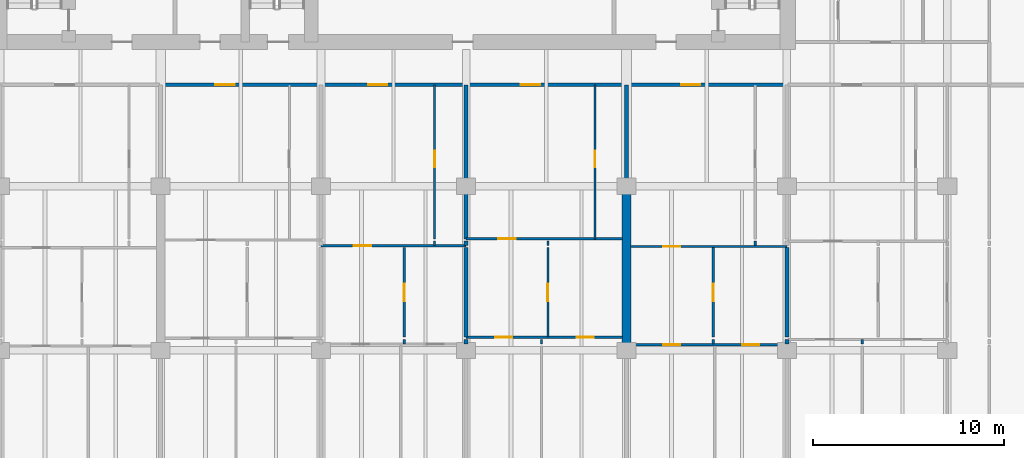
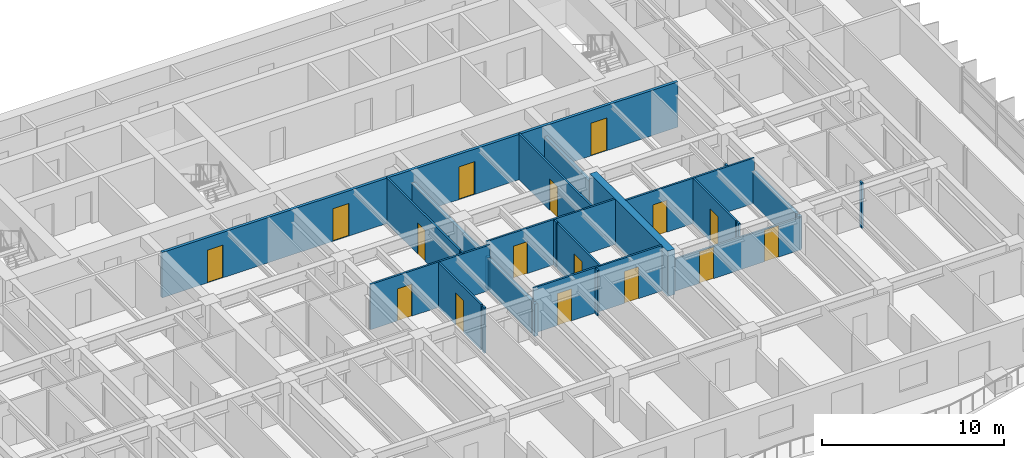
# One storey, part 9 of 18: 26 walls, 16 doors, 16 openings.
"""IFC4 building model written with IfcOpenShell, lengths in metres."""

from ifc_helpers import new_model, si_unit, direction, frame, frame_2d, origin, place, context, subcontext, project, spatial, rectangle, extrude, material, layer, layer_set, type_object, element, fill, save


model = new_model("IFC4")

# Units and contexts
model_context = context("Model", 3, precision=1e-05, world=origin(), true_north=direction((0.0, 1.0)))
body_context = subcontext(model_context, "Body", "Model", "MODEL_VIEW")
ifc_project = project(units=[si_unit("LENGTHUNIT", "METRE"), si_unit("AREAUNIT", "SQUARE_METRE"), si_unit("VOLUMEUNIT", "CUBIC_METRE"), si_unit("PLANEANGLEUNIT", "RADIAN"), si_unit("MASSUNIT", "GRAM", prefix="KILO")], contexts=[model_context])

# Site, building, storey
site_placement = place(None, origin())
site = spatial("IfcSite", under=ifc_project, at=site_placement, CompositionType="ELEMENT")
building_placement = place(site_placement, origin())
building = spatial("IfcBuilding", under=site, at=building_placement, Name="Caelmar Bay Residences", CompositionType="ELEMENT")
storey_placement = place(building_placement, frame((0.0, 0.0, 125.699951171875)))
storey = spatial("IfcBuildingStorey", under=building, at=storey_placement, Name="L34", CompositionType="ELEMENT", Elevation=125.699951171875)

# Wall
ifc_material_1 = material(Name="Concrete f'c 55 MPa (8,000 psi)", Category="concrete")
ifc_layer_1 = layer(ifc_material_1, 0.449951171875)
ifc_layer_set_1 = layer_set([ifc_layer_1], Name="Concrete f'c 55 MPa (8,000 psi)")
wall_type_1 = type_object("IfcWallType", Name="SW-XSLB-450", PredefinedType="SHEAR", material=ifc_layer_set_1)
wall_1_placement = place(storey_placement, frame((51.10009765625, 20.800048828125, 0.0), z_axis=(0.0, 0.0, 1.0), x_axis=(0.0, 1.0, 0.0)))
element("IfcWall", 1, at=wall_1_placement, inside=storey, type_object=wall_type_1, Name="L34 Transverse Cross-Slab Shear Wall E8", PredefinedType="SHEAR", context=body_context, shape_type="SweptSolid", body=[
    extrude(rectangle(XDim=8.599853515625, YDim=0.449951171875, at=frame_2d((4.2998046875, 0.0))), origin(), (0.0, 0.0, 1.0), 3.050048828125),
])

# Wall, openings, doors
ifc_material_2 = material(Name="Double-stud acoustic fire-rated gypsum partition 180 mm")
ifc_layer_2 = layer(ifc_material_2, 0.179931640625)
ifc_layer_set_2 = layer_set([ifc_layer_2], Name="Double-stud acoustic fire-rated gypsum partition 180 mm")
wall_type_2 = type_object("IfcWallType", Name="W-COR-200", PredefinedType="PARTITIONING", material=ifc_layer_set_2)
wall_2_placement = place(storey_placement, frame((26.699951171875, 34.699951171875, 0.0), z_axis=(0.0, 0.0, 1.0), x_axis=(1.0, 0.0, 0.0)))
wall_2 = element("IfcWall", 2, at=wall_2_placement, inside=storey, type_object=wall_type_2, Name="L34 Partition Wall H144", PredefinedType="PARTITIONING", context=body_context, shape_type="SweptSolid", body=[
    extrude(rectangle(XDim=32.800048828125, YDim=0.179931640625, at=frame_2d((16.39990234375, 0.0))), origin(), (0.0, 0.0, 1.0), 3.050048828125),
])
opening_1_placement = place(wall_2_placement, frame((2.875, 0.0, 0.0)))
opening_1 = element("IfcOpeningElement", 3, at=opening_1_placement, cuts=wall_2, Name="Opening D-L34-138", PredefinedType="OPENING", context=body_context, shape_type="SweptSolid", body=[
    extrude(rectangle(XDim=1.0, YDim=2.199951171875, at=frame_2d((0.5, 1.10009765625))), frame((0.0, 0.099853515625, 0.0), z_axis=(0.0, -1.0, 0.0), x_axis=(1.0, 0.0, 0.0)), (0.0, 0.0, 1.0), 0.199951171875),
])
opening_2_placement = place(wall_2_placement, frame((10.875, 0.0, 0.0)))
opening_2 = element("IfcOpeningElement", 4, at=opening_2_placement, cuts=wall_2, Name="Opening D-L34-145", PredefinedType="OPENING", context=body_context, shape_type="SweptSolid", body=[
    extrude(rectangle(XDim=1.0, YDim=2.199951171875, at=frame_2d((0.5, 1.10009765625))), frame((0.0, 0.099853515625, 0.0), z_axis=(0.0, -1.0, 0.0), x_axis=(1.0, 0.0, 0.0)), (0.0, 0.0, 1.0), 0.199951171875),
])
opening_3_placement = place(wall_2_placement, frame((18.875, 0.0, 0.0)))
opening_3 = element("IfcOpeningElement", 5, at=opening_3_placement, cuts=wall_2, Name="Opening D-L34-151", PredefinedType="OPENING", context=body_context, shape_type="SweptSolid", body=[
    extrude(rectangle(XDim=1.0, YDim=2.199951171875, at=frame_2d((0.5, 1.10009765625))), frame((0.0, 0.099853515625, 0.0), z_axis=(0.0, -1.0, 0.0), x_axis=(1.0, 0.0, 0.0)), (0.0, 0.0, 1.0), 0.199951171875),
])
opening_4_placement = place(wall_2_placement, frame((27.27490234375, 0.0, 0.0)))
opening_4 = element("IfcOpeningElement", 6, at=opening_4_placement, cuts=wall_2, Name="Opening D-L34-158", PredefinedType="OPENING", context=body_context, shape_type="SweptSolid", body=[
    extrude(rectangle(XDim=1.0, YDim=2.199951171875, at=frame_2d((0.5, 1.10009765625))), frame((0.0, 0.099853515625, 0.0), z_axis=(0.0, -1.0, 0.0), x_axis=(1.0, 0.0, 0.0)), (0.0, 0.0, 1.0), 0.199951171875),
])
ifc_material_3 = material(Name="Fire-rated steel and walnut architectural door assembly", Category="steel")
ifc_layer_3 = layer(ifc_material_3, 0.050048828125)
ifc_layer_set_3 = layer_set([ifc_layer_3], Name="Fire-rated steel and walnut architectural door assembly")
door_type_1 = type_object("IfcDoorType", Name="D-UNIT-1000", OperationType="NOTDEFINED", PredefinedType="DOOR", material=ifc_layer_set_3)
door_1_placement = place(opening_1_placement, origin())
door_1 = element("IfcDoor", 7, at=door_1_placement, inside=storey, type_object=door_type_1, Name="L34 Residence 03 Apartment Hall Door", OperationType="SINGLE_SWING_LEFT", OverallHeight=2.199951171875, OverallWidth=1.0, PredefinedType="DOOR", context=body_context, shape_type="SweptSolid", body=[
    extrude(rectangle(XDim=1.0, YDim=2.199951171875, at=frame_2d((0.5, 1.10009765625))), frame((0.0, 0.02490234375, 0.0), z_axis=(0.0, -1.0, 0.0), x_axis=(1.0, 0.0, 0.0)), (0.0, 0.0, 1.0), 0.050048828125),
])
fill(opening_1, door_1)
door_2_placement = place(opening_2_placement, origin())
door_2 = element("IfcDoor", 8, at=door_2_placement, inside=storey, type_object=door_type_1, Name="L34 Residence 04 Apartment Hall Door", OperationType="SINGLE_SWING_RIGHT", OverallHeight=2.199951171875, OverallWidth=1.0, PredefinedType="DOOR", context=body_context, shape_type="SweptSolid", body=[
    extrude(rectangle(XDim=1.0, YDim=2.199951171875, at=frame_2d((0.5, 1.10009765625))), frame((0.0, 0.02490234375, 0.0), z_axis=(0.0, -1.0, 0.0), x_axis=(1.0, 0.0, 0.0)), (0.0, 0.0, 1.0), 0.050048828125),
])
fill(opening_2, door_2)
door_3_placement = place(opening_3_placement, origin())
door_3 = element("IfcDoor", 9, at=door_3_placement, inside=storey, type_object=door_type_1, Name="L34 Residence 05 Apartment Hall Door", OperationType="SINGLE_SWING_RIGHT", OverallHeight=2.199951171875, OverallWidth=1.0, PredefinedType="DOOR", context=body_context, shape_type="SweptSolid", body=[
    extrude(rectangle(XDim=1.0, YDim=2.199951171875, at=frame_2d((0.5, 1.10009765625))), frame((0.0, 0.02490234375, 0.0), z_axis=(0.0, -1.0, 0.0), x_axis=(1.0, 0.0, 0.0)), (0.0, 0.0, 1.0), 0.050048828125),
])
fill(opening_3, door_3)
door_4_placement = place(opening_4_placement, origin())
door_4 = element("IfcDoor", 10, at=door_4_placement, inside=storey, type_object=door_type_1, Name="L34 Residence 06 Apartment Hall Door", OperationType="SINGLE_SWING_LEFT", OverallHeight=2.199951171875, OverallWidth=1.0, PredefinedType="DOOR", context=body_context, shape_type="SweptSolid", body=[
    extrude(rectangle(XDim=1.0, YDim=2.199951171875, at=frame_2d((0.5, 1.10009765625))), frame((0.0, 0.02490234375, 0.0), z_axis=(0.0, -1.0, 0.0), x_axis=(1.0, 0.0, 0.0)), (0.0, 0.0, 1.0), 0.050048828125),
])
fill(opening_4, door_4)

# Wall
ifc_material_4 = material(Name="Acoustic metal-stud gypsum partition 120 mm")
ifc_layer_4 = layer(ifc_material_4, 0.1201171875)
ifc_layer_set_4 = layer_set([ifc_layer_4], Name="Acoustic metal-stud gypsum partition 120 mm")
wall_type_3 = type_object("IfcWallType", Name="W-PRT-120", PredefinedType="PARTITIONING", material=ifc_layer_set_4)
wall_3_placement = place(storey_placement, frame((39.4541015625, 21.1298828125, 0.0), z_axis=(0.0, 0.0, 1.0), x_axis=(0.0, 1.0, 0.0)))
element("IfcWall", 11, at=wall_3_placement, inside=storey, type_object=wall_type_3, Name="L34 Partition Wall V059", PredefinedType="PARTITIONING", context=body_context, shape_type="SweptSolid", body=[
    extrude(rectangle(XDim=0.240234375, YDim=0.1201171875, at=frame_2d((0.1201171875, 0.0))), origin(), (0.0, 0.0, 1.0), 3.050048828125),
])

# Wall, opening, door
wall_4_placement = place(storey_placement, frame((39.4541015625, 21.489990234375, 0.0), z_axis=(0.0, 0.0, 1.0), x_axis=(0.0, 1.0, 0.0)))
wall_4 = element("IfcWall", 12, at=wall_4_placement, inside=storey, type_object=wall_type_3, Name="L34 Partition Wall V060", PredefinedType="PARTITIONING", context=body_context, shape_type="SweptSolid", body=[
    extrude(rectangle(XDim=4.68994140625, YDim=0.1201171875, at=frame_2d((2.344970703125, 0.0))), origin(), (0.0, 0.0, 1.0), 3.050048828125),
])
opening_5_placement = place(wall_4_placement, frame((1.89501953125, 0.0, 0.0)))
opening_5 = element("IfcOpeningElement", 13, at=opening_5_placement, cuts=wall_4, Name="Opening D-L34-148", PredefinedType="OPENING", context=body_context, shape_type="SweptSolid", body=[
    extrude(rectangle(XDim=0.89990234375, YDim=2.14990234375, at=frame_2d((0.449951171875, 1.074951171875))), frame((0.0, 0.070068359375, 0.0), z_axis=(0.0, -1.0, 0.0), x_axis=(1.0, 0.0, 0.0)), (0.0, 0.0, 1.0), 0.14013671875),
])
ifc_material_5 = material(Name="Solid walnut timber interior door leaf and frame", Category="wood")
ifc_layer_5 = layer(ifc_material_5, 0.050048828125)
ifc_layer_set_5 = layer_set([ifc_layer_5], Name="Solid walnut timber interior door leaf and frame")
door_type_2 = type_object("IfcDoorType", Name="D-ROOM-900", OperationType="NOTDEFINED", PredefinedType="DOOR", material=ifc_layer_set_5)
door_5_placement = place(opening_5_placement, origin())
door_5 = element("IfcDoor", 14, at=door_5_placement, inside=storey, type_object=door_type_2, Name="L34 Residence 04 Study Door", OperationType="SINGLE_SWING_LEFT", OverallHeight=2.14990234375, OverallWidth=0.89990234375, PredefinedType="DOOR", context=body_context, shape_type="SweptSolid", body=[
    extrude(rectangle(XDim=0.89990234375, YDim=2.14990234375, at=frame_2d((0.449951171875, 1.074951171875))), frame((0.0, 0.02490234375, 0.0), z_axis=(0.0, -1.0, 0.0), x_axis=(1.0, 0.0, 0.0)), (0.0, 0.0, 1.0), 0.050048828125),
])
fill(opening_5, door_5)

# Wall
wall_5_placement = place(storey_placement, frame((41.050048828125, 26.280029296875, 0.0), z_axis=(0.0, 0.0, 1.0), x_axis=(0.0, 1.0, 0.0)))
element("IfcWall", 15, at=wall_5_placement, inside=storey, type_object=wall_type_3, Name="L34 Partition Wall V061", PredefinedType="PARTITIONING", context=body_context, shape_type="SweptSolid", body=[
    extrude(rectangle(XDim=0.239990234375, YDim=0.1201171875, at=frame_2d((0.1201171875, 0.0))), origin(), (0.0, 0.0, 1.0), 3.050048828125),
])

# Wall, opening, door
wall_6_placement = place(storey_placement, frame((41.050048828125, 26.639892578125, 0.0), z_axis=(0.0, 0.0, 1.0), x_axis=(0.0, 1.0, 0.0)))
wall_6 = element("IfcWall", 16, at=wall_6_placement, inside=storey, type_object=wall_type_3, Name="L34 Partition Wall V062", PredefinedType="PARTITIONING", context=body_context, shape_type="SweptSolid", body=[
    extrude(rectangle(XDim=8.06005859375, YDim=0.1201171875, at=frame_2d((4.030029296875, 0.0))), origin(), (0.0, 0.0, 1.0), 3.050048828125),
])
opening_6_placement = place(wall_6_placement, frame((3.7548828125, 0.0, 0.0)))
opening_6 = element("IfcOpeningElement", 17, at=opening_6_placement, cuts=wall_6, Name="Opening D-L34-146", PredefinedType="OPENING", context=body_context, shape_type="SweptSolid", body=[
    extrude(rectangle(XDim=0.85009765625, YDim=2.10009765625, at=frame_2d((0.425048828125, 1.050048828125))), frame((0.0, 0.070068359375, 0.0), z_axis=(0.0, -1.0, 0.0), x_axis=(1.0, 0.0, 0.0)), (0.0, 0.0, 1.0), 0.14013671875),
])
ifc_layer_6 = layer(ifc_material_5, 0.050048828125)
ifc_layer_set_6 = layer_set([ifc_layer_6], Name="Solid walnut timber interior door leaf and frame")
door_type_3 = type_object("IfcDoorType", Name="D-BATH-850", OperationType="NOTDEFINED", PredefinedType="DOOR", material=ifc_layer_set_6)
door_6_placement = place(opening_6_placement, origin())
door_6 = element("IfcDoor", 18, at=door_6_placement, inside=storey, type_object=door_type_3, Name="L34 Residence 04 Bathroom Door", OperationType="SINGLE_SWING_LEFT", OverallHeight=2.10009765625, OverallWidth=0.85009765625, PredefinedType="DOOR", context=body_context, shape_type="SweptSolid", body=[
    extrude(rectangle(XDim=0.85009765625, YDim=2.10009765625, at=frame_2d((0.425048828125, 1.050048828125))), frame((0.0, 0.02490234375, 0.0), z_axis=(0.0, -1.0, 0.0), x_axis=(1.0, 0.0, 0.0)), (0.0, 0.0, 1.0), 0.050048828125),
])
fill(opening_6, door_6)

# Wall
wall_7_placement = place(storey_placement, frame((46.64794921875, 21.1298828125, 0.0), z_axis=(0.0, 0.0, 1.0), x_axis=(0.0, 1.0, 0.0)))
element("IfcWall", 19, at=wall_7_placement, inside=storey, type_object=wall_type_3, Name="L34 Partition Wall V074", PredefinedType="PARTITIONING", context=body_context, shape_type="SweptSolid", body=[
    extrude(rectangle(XDim=0.240234375, YDim=0.1201171875, at=frame_2d((0.1201171875, 0.0))), origin(), (0.0, 0.0, 1.0), 3.050048828125),
])

# Wall, opening, door
wall_8_placement = place(storey_placement, frame((46.986083984375, 21.489990234375, 0.0), z_axis=(0.0, 0.0, 1.0), x_axis=(0.0, 1.0, 0.0)))
wall_8 = element("IfcWall", 20, at=wall_8_placement, inside=storey, type_object=wall_type_3, Name="L34 Partition Wall V075", PredefinedType="PARTITIONING", context=body_context, shape_type="SweptSolid", body=[
    extrude(rectangle(XDim=4.68994140625, YDim=0.1201171875, at=frame_2d((2.344970703125, 0.0))), origin(), (0.0, 0.0, 1.0), 3.050048828125),
])
opening_7_placement = place(wall_8_placement, frame((1.89501953125, 0.0, 0.0)))
opening_7 = element("IfcOpeningElement", 21, at=opening_7_placement, cuts=wall_8, Name="Opening D-L34-154", PredefinedType="OPENING", context=body_context, shape_type="SweptSolid", body=[
    extrude(rectangle(XDim=0.89990234375, YDim=2.14990234375, at=frame_2d((0.449951171875, 1.074951171875))), frame((0.0, 0.070068359375, 0.0), z_axis=(0.0, -1.0, 0.0), x_axis=(1.0, 0.0, 0.0)), (0.0, 0.0, 1.0), 0.14013671875),
])
door_7_placement = place(opening_7_placement, origin())
door_7 = element("IfcDoor", 22, at=door_7_placement, inside=storey, type_object=door_type_2, Name="L34 Residence 05 Study Door", OperationType="SINGLE_SWING_LEFT", OverallHeight=2.14990234375, OverallWidth=0.89990234375, PredefinedType="DOOR", context=body_context, shape_type="SweptSolid", body=[
    extrude(rectangle(XDim=0.89990234375, YDim=2.14990234375, at=frame_2d((0.449951171875, 1.074951171875))), frame((0.0, 0.02490234375, 0.0), z_axis=(0.0, -1.0, 0.0), x_axis=(1.0, 0.0, 0.0)), (0.0, 0.0, 1.0), 0.050048828125),
])
fill(opening_7, door_7)

# Wall
wall_9_placement = place(storey_placement, frame((46.986083984375, 26.280029296875, 0.0), z_axis=(0.0, 0.0, 1.0), x_axis=(0.0, 1.0, 0.0)))
element("IfcWall", 23, at=wall_9_placement, inside=storey, type_object=wall_type_3, Name="L34 Partition Wall V076", PredefinedType="PARTITIONING", context=body_context, shape_type="SweptSolid", body=[
    extrude(rectangle(XDim=0.239990234375, YDim=0.1201171875, at=frame_2d((0.1201171875, 0.0))), origin(), (0.0, 0.0, 1.0), 3.050048828125),
])

# Wall, opening, door
wall_10_placement = place(storey_placement, frame((49.449951171875, 26.639892578125, 0.0), z_axis=(0.0, 0.0, 1.0), x_axis=(0.0, 1.0, 0.0)))
wall_10 = element("IfcWall", 24, at=wall_10_placement, inside=storey, type_object=wall_type_3, Name="L34 Partition Wall V078", PredefinedType="PARTITIONING", context=body_context, shape_type="SweptSolid", body=[
    extrude(rectangle(XDim=8.06005859375, YDim=0.1201171875, at=frame_2d((4.030029296875, 0.0))), origin(), (0.0, 0.0, 1.0), 3.050048828125),
])
opening_8_placement = place(wall_10_placement, frame((3.7548828125, 0.0, 0.0)))
opening_8 = element("IfcOpeningElement", 25, at=opening_8_placement, cuts=wall_10, Name="Opening D-L34-152", PredefinedType="OPENING", context=body_context, shape_type="SweptSolid", body=[
    extrude(rectangle(XDim=0.85009765625, YDim=2.10009765625, at=frame_2d((0.425048828125, 1.050048828125))), frame((0.0, 0.070068359375, 0.0), z_axis=(0.0, -1.0, 0.0), x_axis=(1.0, 0.0, 0.0)), (0.0, 0.0, 1.0), 0.14013671875),
])
door_8_placement = place(opening_8_placement, origin())
door_8 = element("IfcDoor", 26, at=door_8_placement, inside=storey, type_object=door_type_3, Name="L34 Residence 05 Bathroom Door", OperationType="SINGLE_SWING_LEFT", OverallHeight=2.10009765625, OverallWidth=0.85009765625, PredefinedType="DOOR", context=body_context, shape_type="SweptSolid", body=[
    extrude(rectangle(XDim=0.85009765625, YDim=2.10009765625, at=frame_2d((0.425048828125, 1.050048828125))), frame((0.0, 0.02490234375, 0.0), z_axis=(0.0, -1.0, 0.0), x_axis=(1.0, 0.0, 0.0)), (0.0, 0.0, 1.0), 0.050048828125),
])
fill(opening_8, door_8)

# Wall
wall_11_placement = place(storey_placement, frame((55.635986328125, 21.1298828125, 0.0), z_axis=(0.0, 0.0, 1.0), x_axis=(0.0, 1.0, 0.0)))
element("IfcWall", 27, at=wall_11_placement, inside=storey, type_object=wall_type_3, Name="L34 Partition Wall V086", PredefinedType="PARTITIONING", context=body_context, shape_type="SweptSolid", body=[
    extrude(rectangle(XDim=0.240234375, YDim=0.1201171875, at=frame_2d((0.1201171875, 0.0))), origin(), (0.0, 0.0, 1.0), 3.050048828125),
])

# Wall, opening, door
wall_12_placement = place(storey_placement, frame((55.635986328125, 21.489990234375, 0.0), z_axis=(0.0, 0.0, 1.0), x_axis=(0.0, 1.0, 0.0)))
wall_12 = element("IfcWall", 28, at=wall_12_placement, inside=storey, type_object=wall_type_3, Name="L34 Partition Wall V087", PredefinedType="PARTITIONING", context=body_context, shape_type="SweptSolid", body=[
    extrude(rectangle(XDim=4.68994140625, YDim=0.1201171875, at=frame_2d((2.344970703125, 0.0))), origin(), (0.0, 0.0, 1.0), 3.050048828125),
])
opening_9_placement = place(wall_12_placement, frame((1.89501953125, 0.0, 0.0)))
opening_9 = element("IfcOpeningElement", 29, at=opening_9_placement, cuts=wall_12, Name="Opening D-L34-161", PredefinedType="OPENING", context=body_context, shape_type="SweptSolid", body=[
    extrude(rectangle(XDim=0.89990234375, YDim=2.14990234375, at=frame_2d((0.449951171875, 1.074951171875))), frame((0.0, 0.070068359375, 0.0), z_axis=(0.0, -1.0, 0.0), x_axis=(1.0, 0.0, 0.0)), (0.0, 0.0, 1.0), 0.14013671875),
])
door_9_placement = place(opening_9_placement, origin())
door_9 = element("IfcDoor", 30, at=door_9_placement, inside=storey, type_object=door_type_2, Name="L34 Residence 06 Study Door", OperationType="SINGLE_SWING_RIGHT", OverallHeight=2.14990234375, OverallWidth=0.89990234375, PredefinedType="DOOR", context=body_context, shape_type="SweptSolid", body=[
    extrude(rectangle(XDim=0.89990234375, YDim=2.14990234375, at=frame_2d((0.449951171875, 1.074951171875))), frame((0.0, 0.02490234375, 0.0), z_axis=(0.0, -1.0, 0.0), x_axis=(1.0, 0.0, 0.0)), (0.0, 0.0, 1.0), 0.050048828125),
])
fill(opening_9, door_9)

# Walls
wall_13_placement = place(storey_placement, frame((57.85009765625, 26.280029296875, 0.0), z_axis=(0.0, 0.0, 1.0), x_axis=(0.0, 1.0, 0.0)))
element("IfcWall", 31, at=wall_13_placement, inside=storey, type_object=wall_type_3, Name="L34 Partition Wall V091", PredefinedType="PARTITIONING", context=body_context, shape_type="SweptSolid", body=[
    extrude(rectangle(XDim=0.239990234375, YDim=0.1201171875, at=frame_2d((0.1201171875, 0.0))), origin(), (0.0, 0.0, 1.0), 3.050048828125),
])
wall_14_placement = place(storey_placement, frame((63.447998046875, 21.1298828125, 0.0), z_axis=(0.0, 0.0, 1.0), x_axis=(0.0, 1.0, 0.0)))
element("IfcWall", 32, at=wall_14_placement, inside=storey, type_object=wall_type_3, Name="L34 Partition Wall V102", PredefinedType="PARTITIONING", context=body_context, shape_type="SweptSolid", body=[
    extrude(rectangle(XDim=0.240234375, YDim=0.1201171875, at=frame_2d((0.1201171875, 0.0))), origin(), (0.0, 0.0, 1.0), 3.050048828125),
])

# Wall, openings, doors
wall_15_placement = place(storey_placement, frame((51.320068359375, 21.090087890625, 0.0), z_axis=(0.0, 0.0, 1.0), x_axis=(1.0, 0.0, 0.0)))
wall_15 = element("IfcWall", 33, at=wall_15_placement, inside=storey, type_object=wall_type_3, Name="L34 Partition Wall H128", PredefinedType="PARTITIONING", context=body_context, shape_type="SweptSolid", body=[
    extrude(rectangle(XDim=8.179931640625, YDim=0.1201171875, at=frame_2d((4.08984375, 0.0))), origin(), (0.0, 0.0, 1.0), 2.174072265625),
])
opening_10_placement = place(wall_15_placement, frame((1.7080078125, 0.0, 0.0)))
opening_10 = element("IfcOpeningElement", 34, at=opening_10_placement, cuts=wall_15, Name="Opening D-L34-162", PredefinedType="OPENING", context=body_context, shape_type="SweptSolid", body=[
    extrude(rectangle(XDim=0.89990234375, YDim=2.1240234375, at=frame_2d((0.449951171875, 1.06201171875))), frame((0.0, 0.070068359375, 0.0), z_axis=(0.0, -1.0, 0.0), x_axis=(1.0, 0.0, 0.0)), (0.0, 0.0, 1.0), 0.14013671875),
])
opening_11_placement = place(wall_15_placement, frame((5.840087890625, 0.0, 0.0)))
opening_11 = element("IfcOpeningElement", 35, at=opening_11_placement, cuts=wall_15, Name="Opening D-L34-163", PredefinedType="OPENING", context=body_context, shape_type="SweptSolid", body=[
    extrude(rectangle(XDim=0.89990234375, YDim=2.1240234375, at=frame_2d((0.449951171875, 1.06201171875))), frame((0.0, 0.070068359375, 0.0), z_axis=(0.0, -1.0, 0.0), x_axis=(1.0, 0.0, 0.0)), (0.0, 0.0, 1.0), 0.14013671875),
])
door_10_placement = place(opening_10_placement, origin())
door_10 = element("IfcDoor", 36, at=door_10_placement, inside=storey, type_object=door_type_2, Name="L34 Residence 06 Living Room Door", OperationType="SINGLE_SWING_LEFT", OverallHeight=2.1240234375, OverallWidth=0.89990234375, PredefinedType="DOOR", context=body_context, shape_type="SweptSolid", body=[
    extrude(rectangle(XDim=0.89990234375, YDim=2.1240234375, at=frame_2d((0.449951171875, 1.06201171875))), frame((0.0, 0.02490234375, 0.0), z_axis=(0.0, -1.0, 0.0), x_axis=(1.0, 0.0, 0.0)), (0.0, 0.0, 1.0), 0.050048828125),
])
fill(opening_10, door_10)
door_11_placement = place(opening_11_placement, origin())
door_11 = element("IfcDoor", 37, at=door_11_placement, inside=storey, type_object=door_type_2, Name="L34 Residence 06 Bedroom 2 Door", OperationType="SINGLE_SWING_RIGHT", OverallHeight=2.1240234375, OverallWidth=0.89990234375, PredefinedType="DOOR", context=body_context, shape_type="SweptSolid", body=[
    extrude(rectangle(XDim=0.89990234375, YDim=2.1240234375, at=frame_2d((0.449951171875, 1.06201171875))), frame((0.0, 0.02490234375, 0.0), z_axis=(0.0, -1.0, 0.0), x_axis=(1.0, 0.0, 0.0)), (0.0, 0.0, 1.0), 0.050048828125),
])
fill(opening_11, door_11)

wall_16_placement = place(storey_placement, frame((42.699951171875, 21.489990234375, 0.0), z_axis=(0.0, 0.0, 1.0), x_axis=(1.0, 0.0, 0.0)))
wall_16 = element("IfcWall", 38, at=wall_16_placement, inside=storey, type_object=wall_type_3, Name="L34 Partition Wall H133", PredefinedType="PARTITIONING", context=body_context, shape_type="SweptSolid", body=[
    extrude(rectangle(XDim=8.179931640625, YDim=0.1201171875, at=frame_2d((4.08984375, 0.0))), origin(), (0.0, 0.0, 1.0), 3.050048828125),
])
opening_12_placement = place(wall_16_placement, frame((1.52392578125, 0.0, 0.0)))
opening_12 = element("IfcOpeningElement", 39, at=opening_12_placement, cuts=wall_16, Name="Opening D-L34-155", PredefinedType="OPENING", context=body_context, shape_type="SweptSolid", body=[
    extrude(rectangle(XDim=0.89990234375, YDim=2.14990234375, at=frame_2d((0.449951171875, 1.074951171875))), frame((0.0, 0.070068359375, 0.0), z_axis=(0.0, -1.0, 0.0), x_axis=(1.0, 0.0, 0.0)), (0.0, 0.0, 1.0), 0.14013671875),
])
opening_13_placement = place(wall_16_placement, frame((5.782958984375, 0.0, 0.0)))
opening_13 = element("IfcOpeningElement", 40, at=opening_13_placement, cuts=wall_16, Name="Opening D-L34-156", PredefinedType="OPENING", context=body_context, shape_type="SweptSolid", body=[
    extrude(rectangle(XDim=0.89990234375, YDim=2.14990234375, at=frame_2d((0.449951171875, 1.074951171875))), frame((0.0, 0.070068359375, 0.0), z_axis=(0.0, -1.0, 0.0), x_axis=(1.0, 0.0, 0.0)), (0.0, 0.0, 1.0), 0.14013671875),
])
door_12_placement = place(opening_12_placement, origin())
door_12 = element("IfcDoor", 41, at=door_12_placement, inside=storey, type_object=door_type_2, Name="L34 Residence 05 Living Room Door", OperationType="SINGLE_SWING_RIGHT", OverallHeight=2.14990234375, OverallWidth=0.89990234375, PredefinedType="DOOR", context=body_context, shape_type="SweptSolid", body=[
    extrude(rectangle(XDim=0.89990234375, YDim=2.14990234375, at=frame_2d((0.449951171875, 1.074951171875))), frame((0.0, 0.02490234375, 0.0), z_axis=(0.0, -1.0, 0.0), x_axis=(1.0, 0.0, 0.0)), (0.0, 0.0, 1.0), 0.050048828125),
])
fill(opening_12, door_12)
door_13_placement = place(opening_13_placement, origin())
door_13 = element("IfcDoor", 42, at=door_13_placement, inside=storey, type_object=door_type_2, Name="L34 Residence 05 Penthouse Sitting Room Door", OperationType="SINGLE_SWING_LEFT", OverallHeight=2.14990234375, OverallWidth=0.89990234375, PredefinedType="DOOR", context=body_context, shape_type="SweptSolid", body=[
    extrude(rectangle(XDim=0.89990234375, YDim=2.14990234375, at=frame_2d((0.449951171875, 1.074951171875))), frame((0.0, 0.02490234375, 0.0), z_axis=(0.0, -1.0, 0.0), x_axis=(1.0, 0.0, 0.0)), (0.0, 0.0, 1.0), 0.050048828125),
])
fill(opening_13, door_13)

# Wall, opening, door
wall_17_placement = place(storey_placement, frame((51.320068359375, 26.239990234375, 0.0), z_axis=(0.0, 0.0, 1.0), x_axis=(1.0, 0.0, 0.0)))
wall_17 = element("IfcWall", 43, at=wall_17_placement, inside=storey, type_object=wall_type_3, Name="L34 Partition Wall H135", PredefinedType="PARTITIONING", context=body_context, shape_type="SweptSolid", body=[
    extrude(rectangle(XDim=8.179931640625, YDim=0.1201171875, at=frame_2d((4.08984375, 0.0))), origin(), (0.0, 0.0, 1.0), 3.050048828125),
])
opening_14_placement = place(wall_17_placement, frame((1.7080078125, 0.0, 0.0)))
opening_14 = element("IfcOpeningElement", 44, at=opening_14_placement, cuts=wall_17, Name="Opening D-L34-160", PredefinedType="OPENING", context=body_context, shape_type="SweptSolid", body=[
    extrude(rectangle(XDim=0.89990234375, YDim=2.14990234375, at=frame_2d((0.449951171875, 1.074951171875))), frame((0.0, 0.070068359375, 0.0), z_axis=(0.0, -1.0, 0.0), x_axis=(1.0, 0.0, 0.0)), (0.0, 0.0, 1.0), 0.14013671875),
])
door_14_placement = place(opening_14_placement, origin())
door_14 = element("IfcDoor", 45, at=door_14_placement, inside=storey, type_object=door_type_2, Name="L34 Residence 06 Kitchen Door", OperationType="SINGLE_SWING_LEFT", OverallHeight=2.14990234375, OverallWidth=0.89990234375, PredefinedType="DOOR", context=body_context, shape_type="SweptSolid", body=[
    extrude(rectangle(XDim=0.89990234375, YDim=2.14990234375, at=frame_2d((0.449951171875, 1.074951171875))), frame((0.0, 0.02490234375, 0.0), z_axis=(0.0, -1.0, 0.0), x_axis=(1.0, 0.0, 0.0)), (0.0, 0.0, 1.0), 0.050048828125),
])
fill(opening_14, door_14)

wall_18_placement = place(storey_placement, frame((35.10009765625, 26.280029296875, 0.0), z_axis=(0.0, 0.0, 1.0), x_axis=(1.0, 0.0, 0.0)))
wall_18 = element("IfcWall", 46, at=wall_18_placement, inside=storey, type_object=wall_type_3, Name="L34 Partition Wall H136", PredefinedType="PARTITIONING", context=body_context, shape_type="SweptSolid", body=[
    extrude(rectangle(XDim=7.599853515625, YDim=0.1201171875, at=frame_2d((3.7998046875, 0.0))), origin(), (0.0, 0.0, 1.0), 3.050048828125),
])
opening_15_placement = place(wall_18_placement, frame((1.72705078125, 0.0, 0.0)))
opening_15 = element("IfcOpeningElement", 47, at=opening_15_placement, cuts=wall_18, Name="Opening D-L34-147", PredefinedType="OPENING", context=body_context, shape_type="SweptSolid", body=[
    extrude(rectangle(XDim=0.89990234375, YDim=2.14990234375, at=frame_2d((0.449951171875, 1.074951171875))), frame((0.0, 0.070068359375, 0.0), z_axis=(0.0, -1.0, 0.0), x_axis=(1.0, 0.0, 0.0)), (0.0, 0.0, 1.0), 0.14013671875),
])
door_15_placement = place(opening_15_placement, origin())
door_15 = element("IfcDoor", 48, at=door_15_placement, inside=storey, type_object=door_type_2, Name="L34 Residence 04 Kitchen Door", OperationType="SINGLE_SWING_RIGHT", OverallHeight=2.14990234375, OverallWidth=0.89990234375, PredefinedType="DOOR", context=body_context, shape_type="SweptSolid", body=[
    extrude(rectangle(XDim=0.89990234375, YDim=2.14990234375, at=frame_2d((0.449951171875, 1.074951171875))), frame((0.0, 0.02490234375, 0.0), z_axis=(0.0, -1.0, 0.0), x_axis=(1.0, 0.0, 0.0)), (0.0, 0.0, 1.0), 0.050048828125),
])
fill(opening_15, door_15)

wall_19_placement = place(storey_placement, frame((42.699951171875, 26.639892578125, 0.0), z_axis=(0.0, 0.0, 1.0), x_axis=(1.0, 0.0, 0.0)))
wall_19 = element("IfcWall", 49, at=wall_19_placement, inside=storey, type_object=wall_type_3, Name="L34 Partition Wall H140", PredefinedType="PARTITIONING", context=body_context, shape_type="SweptSolid", body=[
    extrude(rectangle(XDim=8.179931640625, YDim=0.1201171875, at=frame_2d((4.08984375, 0.0))), origin(), (0.0, 0.0, 1.0), 3.050048828125),
])
opening_16_placement = place(wall_19_placement, frame((1.693115234375, 0.0, 0.0)))
opening_16 = element("IfcOpeningElement", 50, at=opening_16_placement, cuts=wall_19, Name="Opening D-L34-153", PredefinedType="OPENING", context=body_context, shape_type="SweptSolid", body=[
    extrude(rectangle(XDim=0.89990234375, YDim=2.14990234375, at=frame_2d((0.449951171875, 1.074951171875))), frame((0.0, 0.070068359375, 0.0), z_axis=(0.0, -1.0, 0.0), x_axis=(1.0, 0.0, 0.0)), (0.0, 0.0, 1.0), 0.14013671875),
])
door_16_placement = place(opening_16_placement, origin())
door_16 = element("IfcDoor", 51, at=door_16_placement, inside=storey, type_object=door_type_2, Name="L34 Residence 05 Kitchen Door", OperationType="SINGLE_SWING_RIGHT", OverallHeight=2.14990234375, OverallWidth=0.89990234375, PredefinedType="DOOR", context=body_context, shape_type="SweptSolid", body=[
    extrude(rectangle(XDim=0.89990234375, YDim=2.14990234375, at=frame_2d((0.449951171875, 1.074951171875))), frame((0.0, 0.02490234375, 0.0), z_axis=(0.0, -1.0, 0.0), x_axis=(1.0, 0.0, 0.0)), (0.0, 0.0, 1.0), 0.050048828125),
])
fill(opening_16, door_16)

# Walls
ifc_material_6 = material(Name="Acoustic twin-stud fire-rated inter-tenancy partition 200 mm")
ifc_layer_7 = layer(ifc_material_6, 0.199951171875)
ifc_layer_set_7 = layer_set([ifc_layer_7], Name="Acoustic twin-stud fire-rated inter-tenancy partition 200 mm")
wall_type_4 = type_object("IfcWallType", Name="W-PTY-200", PredefinedType="PARTITIONING", material=ifc_layer_set_7)
wall_20_placement = place(storey_placement, frame((42.699951171875, 21.1298828125, 0.0), z_axis=(0.0, 0.0, 1.0), x_axis=(0.0, 1.0, 0.0)))
element("IfcWall", 52, at=wall_20_placement, inside=storey, type_object=wall_type_4, Name="L34 Partition Wall V065", PredefinedType="PARTITIONING", context=body_context, shape_type="SweptSolid", body=[
    extrude(rectangle(XDim=0.240234375, YDim=0.199951171875, at=frame_2d((0.1201171875, 0.0))), origin(), (0.0, 0.0, 1.0), 2.174072265625),
])
wall_21_placement = place(storey_placement, frame((42.699951171875, 21.489990234375, 0.0), z_axis=(0.0, 0.0, 1.0), x_axis=(0.0, 1.0, 0.0)))
element("IfcWall", 53, at=wall_21_placement, inside=storey, type_object=wall_type_4, Name="L34 Partition Wall V066", PredefinedType="PARTITIONING", context=body_context, shape_type="SweptSolid", body=[
    extrude(rectangle(XDim=4.68994140625, YDim=0.199951171875, at=frame_2d((2.344970703125, 0.0))), origin(), (0.0, 0.0, 1.0), 2.174072265625),
])
wall_22_placement = place(storey_placement, frame((42.699951171875, 26.280029296875, 0.0), z_axis=(0.0, 0.0, 1.0), x_axis=(0.0, 1.0, 0.0)))
element("IfcWall", 54, at=wall_22_placement, inside=storey, type_object=wall_type_4, Name="L34 Partition Wall V067", PredefinedType="PARTITIONING", context=body_context, shape_type="SweptSolid", body=[
    extrude(rectangle(XDim=0.239990234375, YDim=0.199951171875, at=frame_2d((0.1201171875, 0.0))), origin(), (0.0, 0.0, 1.0), 2.174072265625),
])
wall_23_placement = place(storey_placement, frame((42.699951171875, 26.639892578125, 0.0), z_axis=(0.0, 0.0, 1.0), x_axis=(0.0, 1.0, 0.0)))
element("IfcWall", 55, at=wall_23_placement, inside=storey, type_object=wall_type_4, Name="L34 Partition Wall V068", PredefinedType="PARTITIONING", context=body_context, shape_type="SweptSolid", body=[
    extrude(rectangle(XDim=8.06005859375, YDim=0.199951171875, at=frame_2d((4.030029296875, 0.0))), origin(), (0.0, 0.0, 1.0), 2.174072265625),
])
wall_24_placement = place(storey_placement, frame((51.10009765625, 29.405029296875, 0.0), z_axis=(0.0, 0.0, 1.0), x_axis=(0.0, 1.0, 0.0)))
element("IfcWall", 56, at=wall_24_placement, inside=storey, type_object=wall_type_4, Name="L34 Partition Wall V083", PredefinedType="PARTITIONING", context=body_context, shape_type="SweptSolid", body=[
    extrude(rectangle(XDim=5.294921875, YDim=0.199951171875, at=frame_2d((2.6474609375, 0.0))), origin(), (0.0, 0.0, 1.0), 2.3349609375),
])
wall_25_placement = place(storey_placement, frame((59.5, 21.1298828125, 0.0), z_axis=(0.0, 0.0, 1.0), x_axis=(0.0, 1.0, 0.0)))
element("IfcWall", 57, at=wall_25_placement, inside=storey, type_object=wall_type_4, Name="L34 Partition Wall V095", PredefinedType="PARTITIONING", context=body_context, shape_type="SweptSolid", body=[
    extrude(rectangle(XDim=0.240234375, YDim=0.199951171875, at=frame_2d((0.1201171875, 0.0))), origin(), (0.0, 0.0, 1.0), 2.174072265625),
])
wall_26_placement = place(storey_placement, frame((59.5, 21.489990234375, 0.0), z_axis=(0.0, 0.0, 1.0), x_axis=(0.0, 1.0, 0.0)))
element("IfcWall", 58, at=wall_26_placement, inside=storey, type_object=wall_type_4, Name="L34 Partition Wall V096", PredefinedType="PARTITIONING", context=body_context, shape_type="SweptSolid", body=[
    extrude(rectangle(XDim=4.68994140625, YDim=0.199951171875, at=frame_2d((2.344970703125, 0.0))), origin(), (0.0, 0.0, 1.0), 2.174072265625),
])

save(model, "model.ifc")
